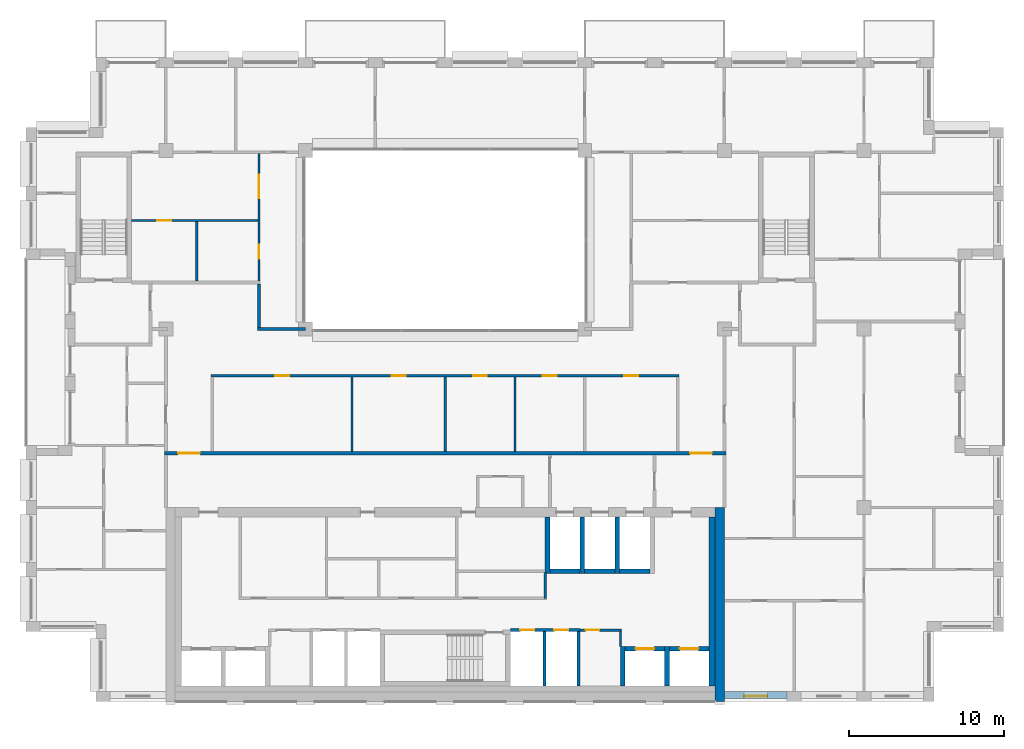
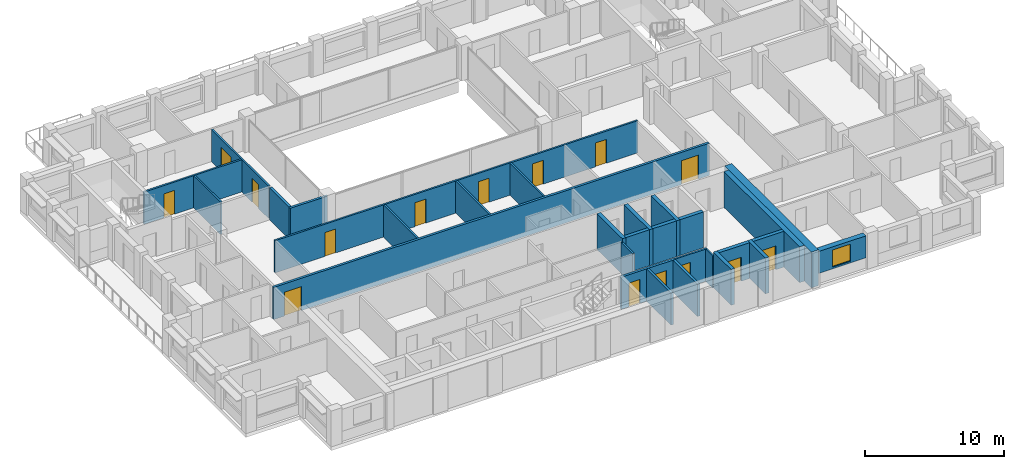
# One storey, part 10 of 15: 29 walls, 15 doors, 1 window, 16 openings.
"""IFC4 building model written with IfcOpenShell, lengths in metres."""

from ifc_helpers import new_model, si_unit, direction, frame, frame_2d, origin, place, context, subcontext, project, spatial, rectangle, extrude, material, layer, layer_set, type_object, element, fill, save


model = new_model("IFC4")

# Units and contexts
model_context = context("Model", 3, precision=1e-05, world=origin(), true_north=direction((0.0, 1.0)))
body_context = subcontext(model_context, "Body", "Model", "MODEL_VIEW")
ifc_project = project(units=[si_unit("LENGTHUNIT", "METRE"), si_unit("AREAUNIT", "SQUARE_METRE"), si_unit("VOLUMEUNIT", "CUBIC_METRE"), si_unit("PLANEANGLEUNIT", "RADIAN"), si_unit("MASSUNIT", "GRAM", prefix="KILO")], contexts=[model_context])

# Site, building, storey
site_placement = place(None, origin())
site = spatial("IfcSite", under=ifc_project, at=site_placement, CompositionType="ELEMENT")
building_placement = place(site_placement, origin())
building = spatial("IfcBuilding", under=site, at=building_placement, Name="Brigalow Station Residences", CompositionType="ELEMENT")
storey_placement = place(building_placement, frame((0.0, 0.0, 223.199951171875)))
storey = spatial("IfcBuildingStorey", under=building, at=storey_placement, Name="L64", CompositionType="ELEMENT", Elevation=223.199951171875)

# Wall, opening, window
ifc_material_1 = material(Name="Clay brick masonry", Category="masonry")
ifc_layer_1 = layer(ifc_material_1, 0.449951171875)
ifc_layer_set_1 = layer_set([ifc_layer_1], Name="BRICK INFILL WALL 450")
wall_type_1 = type_object("IfcWallType", Name="BRICK INFILL WALL 450", PredefinedType="SOLIDWALL", material=ifc_layer_set_1)
wall_1_placement = place(storey_placement, frame((54.0, 0.425048828125, 0.900146484375), z_axis=(0.0, 0.0, 1.0), x_axis=(1.0, 0.0, 0.0)))
wall_1 = element("IfcWall", 1, at=wall_1_placement, inside=storey, type_object=wall_type_1, Name="L64/ewall/W-L64-3", PredefinedType="SOLIDWALL", context=body_context, shape_type="SweptSolid", body=[
    extrude(rectangle(XDim=4.050048828125, YDim=0.449951171875, at=frame_2d((2.02490234375, 0.0))), origin(), (0.0, 0.0, 1.0), 1.929931640625),
])
opening_1_placement = place(wall_1_placement, frame((1.27490234375, 0.0, 0.14990234375)))
opening_1 = element("IfcOpeningElement", 2, at=opening_1_placement, cuts=wall_1, Name="Opening WT-1", PredefinedType="OPENING", context=body_context, shape_type="SweptSolid", body=[
    extrude(rectangle(XDim=1.5, YDim=1.5, at=frame_2d((0.75, 0.75))), frame((0.0, 0.23486328125, 0.0), z_axis=(0.0, -1.0, 0.0), x_axis=(1.0, 0.0, 0.0)), (0.0, 0.0, 1.0), 0.469970703125),
])
ifc_material_2 = material(Name="Anodised aluminium frame with double glazing", Category="aluminium")
window_type = type_object("IfcWindowType", Name="WINDOW 1500x1500", PartitioningType="SINGLE_PANEL", PredefinedType="WINDOW", material=ifc_material_2)
window_placement = place(opening_1_placement, origin())
window = element("IfcWindow", 3, at=window_placement, inside=storey, type_object=window_type, Name="L64/window/W-L64-3", OverallHeight=1.5, OverallWidth=1.5, PartitioningType="SINGLE_PANEL", PredefinedType="WINDOW", context=body_context, shape_type="SweptSolid", body=[
    extrude(rectangle(XDim=1.5, YDim=1.5, at=frame_2d((0.75, 0.75))), frame((0.0, -0.06494140625, 0.0), z_axis=(0.0, -1.0, 0.0), x_axis=(1.0, 0.0, 0.0)), (0.0, 0.0, 1.0), 0.06005859375),
])
fill(opening_1, window)

# Walls
ifc_material_3 = material(Name="Concrete C50", Category="concrete")
ifc_layer_2 = layer(ifc_material_3, 0.300048828125)
ifc_layer_set_2 = layer_set([ifc_layer_2], Name="CORE SHEAR WALL 300 C50")
wall_type_2 = type_object("IfcWallType", Name="CORE SHEAR WALL 300 C50", PredefinedType="SHEAR", material=ifc_layer_set_2)
wall_2_placement = place(storey_placement, frame((42.75, 8.39990234375, 0.0), z_axis=(0.0, 0.0, 1.0), x_axis=(1.0, 0.0, 0.0)))
element("IfcWall", 4, at=wall_2_placement, inside=storey, type_object=wall_type_2, Name="CORE WALL SH-FF1-S L64", PredefinedType="SHEAR", context=body_context, shape_type="SweptSolid", body=[
    extrude(rectangle(XDim=1.949951171875, YDim=0.300048828125, at=frame_2d((0.97509765625, 0.0))), origin(), (0.0, 0.0, 1.0), 3.150146484375),
])
wall_3_placement = place(storey_placement, frame((42.60009765625, 8.25, 0.0), z_axis=(0.0, 0.0, 1.0), x_axis=(0.0, 1.0, 0.0)))
element("IfcWall", 5, at=wall_3_placement, inside=storey, type_object=wall_type_2, Name="CORE WALL SH-FF1-W L64", PredefinedType="SHEAR", context=body_context, shape_type="SweptSolid", body=[
    extrude(rectangle(XDim=3.64990234375, YDim=0.300048828125, at=frame_2d((1.824951171875, 0.0))), origin(), (0.0, 0.0, 1.0), 3.150146484375),
])
wall_4_placement = place(storey_placement, frame((45.0, 8.39990234375, 0.0), z_axis=(0.0, 0.0, 1.0), x_axis=(1.0, 0.0, 0.0)))
element("IfcWall", 6, at=wall_4_placement, inside=storey, type_object=wall_type_2, Name="CORE WALL SH-FF2-S L64", PredefinedType="SHEAR", context=body_context, shape_type="SweptSolid", body=[
    extrude(rectangle(XDim=1.949951171875, YDim=0.300048828125, at=frame_2d((0.97509765625, 0.0))), origin(), (0.0, 0.0, 1.0), 3.150146484375),
])
wall_5_placement = place(storey_placement, frame((44.85009765625, 8.25, 0.0), z_axis=(0.0, 0.0, 1.0), x_axis=(0.0, 1.0, 0.0)))
element("IfcWall", 7, at=wall_5_placement, inside=storey, type_object=wall_type_2, Name="CORE WALL SH-FF2-W L64", PredefinedType="SHEAR", context=body_context, shape_type="SweptSolid", body=[
    extrude(rectangle(XDim=3.64990234375, YDim=0.300048828125, at=frame_2d((1.824951171875, 0.0))), origin(), (0.0, 0.0, 1.0), 3.150146484375),
])
wall_6_placement = place(storey_placement, frame((47.25, 8.39990234375, 0.0), z_axis=(0.0, 0.0, 1.0), x_axis=(1.0, 0.0, 0.0)))
element("IfcWall", 8, at=wall_6_placement, inside=storey, type_object=wall_type_2, Name="CORE WALL SH-SL1-S L64", PredefinedType="SHEAR", context=body_context, shape_type="SweptSolid", body=[
    extrude(rectangle(XDim=1.949951171875, YDim=0.300048828125, at=frame_2d((0.97509765625, 0.0))), origin(), (0.0, 0.0, 1.0), 3.150146484375),
])
wall_7_placement = place(storey_placement, frame((47.10009765625, 8.25, 0.0), z_axis=(0.0, 0.0, 1.0), x_axis=(0.0, 1.0, 0.0)))
element("IfcWall", 9, at=wall_7_placement, inside=storey, type_object=wall_type_2, Name="CORE WALL SH-SL1-W L64", PredefinedType="SHEAR", context=body_context, shape_type="SweptSolid", body=[
    extrude(rectangle(XDim=3.64990234375, YDim=0.300048828125, at=frame_2d((1.824951171875, 0.0))), origin(), (0.0, 0.0, 1.0), 3.150146484375),
])

# Wall, opening, door
wall_8_placement = place(storey_placement, frame((47.60009765625, 3.39990234375, 0.0), z_axis=(0.0, 0.0, 1.0), x_axis=(1.0, 0.0, 0.0)))
wall_8 = element("IfcWall", 10, at=wall_8_placement, inside=storey, type_object=wall_type_2, Name="CORE WALL SH-C3-N L64", PredefinedType="SHEAR", context=body_context, shape_type="SweptSolid", body=[
    extrude(rectangle(XDim=2.5498046875, YDim=0.300048828125, at=frame_2d((1.27490234375, 0.0))), origin(), (0.0, 0.0, 1.0), 3.150146484375),
])
opening_2_placement = place(wall_8_placement, frame((0.675048828125, 0.0, 0.0)))
opening_2 = element("IfcOpeningElement", 11, at=opening_2_placement, cuts=wall_8, Name="Opening LD-LB3", PredefinedType="OPENING", context=body_context, shape_type="SweptSolid", body=[
    extrude(rectangle(XDim=1.199951171875, YDim=2.10009765625, at=frame_2d((0.60009765625, 1.050048828125))), frame((0.0, 0.16015625, 0.0), z_axis=(0.0, -1.0, 0.0), x_axis=(1.0, 0.0, 0.0)), (0.0, 0.0, 1.0), 0.320068359375),
])
ifc_material_4 = material(Name="Stainless steel sliding door leaves", Category="steel")
door_type_1 = type_object("IfcDoorType", Name="LIFT LANDING DOOR 1200 x 2100", OperationType="DOUBLE_DOOR_SLIDING", PredefinedType="DOOR", material=ifc_material_4)
door_1_placement = place(opening_2_placement, origin())
door_1 = element("IfcDoor", 12, at=door_1_placement, inside=storey, type_object=door_type_1, Name="LANDING DOOR LB3", OperationType="DOUBLE_DOOR_SLIDING", OverallHeight=2.10009765625, OverallWidth=1.199951171875, PredefinedType="DOOR", context=body_context, shape_type="SweptSolid", body=[
    extrude(rectangle(XDim=1.199951171875, YDim=2.10009765625, at=frame_2d((0.60009765625, 1.050048828125))), frame((0.0, 0.02490234375, 0.0), z_axis=(0.0, -1.0, 0.0), x_axis=(1.0, 0.0, 0.0)), (0.0, 0.0, 1.0), 0.050048828125),
])
fill(opening_2, door_1)

# Wall
wall_9_placement = place(storey_placement, frame((47.449951171875, 1.0, 0.0), z_axis=(0.0, 0.0, 1.0), x_axis=(0.0, 1.0, 0.0)))
element("IfcWall", 13, at=wall_9_placement, inside=storey, type_object=wall_type_2, Name="CORE WALL SH-C3-W L64", PredefinedType="SHEAR", context=body_context, shape_type="SweptSolid", body=[
    extrude(rectangle(XDim=2.550048828125, YDim=0.300048828125, at=frame_2d((1.27490234375, 0.0))), origin(), (0.0, 0.0, 1.0), 3.150146484375),
])

# Wall, opening, door
wall_10_placement = place(storey_placement, frame((50.449951171875, 3.39990234375, 0.0), z_axis=(0.0, 0.0, 1.0), x_axis=(1.0, 0.0, 0.0)))
wall_10 = element("IfcWall", 14, at=wall_10_placement, inside=storey, type_object=wall_type_2, Name="CORE WALL SH-C4-N L64", PredefinedType="SHEAR", context=body_context, shape_type="SweptSolid", body=[
    extrude(rectangle(XDim=2.550048828125, YDim=0.300048828125, at=frame_2d((1.27490234375, 0.0))), origin(), (0.0, 0.0, 1.0), 3.150146484375),
])
opening_3_placement = place(wall_10_placement, frame((0.675048828125, 0.0, 0.0)))
opening_3 = element("IfcOpeningElement", 15, at=opening_3_placement, cuts=wall_10, Name="Opening LD-LB4", PredefinedType="OPENING", context=body_context, shape_type="SweptSolid", body=[
    extrude(rectangle(XDim=1.199951171875, YDim=2.10009765625, at=frame_2d((0.60009765625, 1.050048828125))), frame((0.0, 0.16015625, 0.0), z_axis=(0.0, -1.0, 0.0), x_axis=(1.0, 0.0, 0.0)), (0.0, 0.0, 1.0), 0.320068359375),
])
door_2_placement = place(opening_3_placement, origin())
door_2 = element("IfcDoor", 16, at=door_2_placement, inside=storey, type_object=door_type_1, Name="LANDING DOOR LB4", OperationType="DOUBLE_DOOR_SLIDING", OverallHeight=2.10009765625, OverallWidth=1.199951171875, PredefinedType="DOOR", context=body_context, shape_type="SweptSolid", body=[
    extrude(rectangle(XDim=1.199951171875, YDim=2.10009765625, at=frame_2d((0.60009765625, 1.050048828125))), frame((0.0, 0.02490234375, 0.0), z_axis=(0.0, -1.0, 0.0), x_axis=(1.0, 0.0, 0.0)), (0.0, 0.0, 1.0), 0.050048828125),
])
fill(opening_3, door_2)

# Walls
wall_11_placement = place(storey_placement, frame((50.300048828125, 1.0, 0.0), z_axis=(0.0, 0.0, 1.0), x_axis=(0.0, 1.0, 0.0)))
element("IfcWall", 17, at=wall_11_placement, inside=storey, type_object=wall_type_2, Name="CORE WALL SH-C4-W L64", PredefinedType="SHEAR", context=body_context, shape_type="SweptSolid", body=[
    extrude(rectangle(XDim=2.550048828125, YDim=0.300048828125, at=frame_2d((1.27490234375, 0.0))), origin(), (0.0, 0.0, 1.0), 3.150146484375),
])
ifc_material_5 = material(Name="Concrete C50", Category="concrete")
ifc_layer_3 = layer(ifc_material_5, 0.39990234375)
ifc_layer_set_3 = layer_set([ifc_layer_3], Name="CORE SHEAR WALL 400 C50")
wall_type_3 = type_object("IfcWallType", Name="CORE SHEAR WALL 400 C50", PredefinedType="SHEAR", material=ifc_layer_set_3)
wall_12_placement = place(storey_placement, frame((53.199951171875, 1.0, 0.0), z_axis=(0.0, 0.0, 1.0), x_axis=(0.0, 1.0, 0.0)))
element("IfcWall", 18, at=wall_12_placement, inside=storey, type_object=wall_type_3, Name="CORE WALL LIN-E L64", PredefinedType="SHEAR", context=body_context, shape_type="SweptSolid", body=[
    extrude(rectangle(XDim=10.89990234375, YDim=0.39990234375, at=frame_2d((5.449951171875, 0.0))), origin(), (0.0, 0.0, 1.0), 3.150146484375),
])
ifc_material_6 = material(Name="Concrete C50", Category="concrete")
ifc_layer_4 = layer(ifc_material_6, 0.60009765625)
ifc_layer_set_4 = layer_set([ifc_layer_4], Name="CORE SHEAR WALL 600 C50")
wall_type_4 = type_object("IfcWallType", Name="CORE SHEAR WALL 600 C50", PredefinedType="SHEAR", material=ifc_layer_set_4)
wall_13_placement = place(storey_placement, frame((53.699951171875, 0.0, 0.0), z_axis=(0.0, 0.0, 1.0), x_axis=(0.0, 1.0, 0.0)))
element("IfcWall", 19, at=wall_13_placement, inside=storey, type_object=wall_type_4, Name="CORE WALL OUT-E L64", PredefinedType="SHEAR", context=body_context, shape_type="SweptSolid", body=[
    extrude(rectangle(XDim=12.5, YDim=0.60009765625, at=frame_2d((6.25, 0.0))), origin(), (0.0, 0.0, 1.0), 3.150146484375),
])

# Wall, openings, doors
ifc_material_7 = material(Name="Concrete blockwork", Category="masonry")
ifc_layer_5 = layer(ifc_material_7, 0.199951171875)
ifc_layer_set_5 = layer_set([ifc_layer_5], Name="FIRE RATED CORE PARTITION 200")
wall_type_5 = type_object("IfcWallType", Name="FIRE RATED CORE PARTITION 200", PredefinedType="PARTITIONING", material=ifc_layer_set_5)
wall_14_placement = place(storey_placement, frame((40.199951171875, 4.60009765625, 0.0), z_axis=(0.0, 0.0, 1.0), x_axis=(1.0, 0.0, 0.0)))
wall_14 = element("IfcWall", 20, at=wall_14_placement, inside=storey, type_object=wall_type_5, Name="PW-5018", PredefinedType="PARTITIONING", context=body_context, shape_type="SweptSolid", body=[
    extrude(rectangle(XDim=4.5, YDim=0.199951171875, at=frame_2d((2.25, 0.0))), origin(), (0.0, 0.0, 1.0), 2.830078125),
])
opening_4_placement = place(wall_14_placement, frame((0.64990234375, 0.0, 0.0)))
opening_4 = element("IfcOpeningElement", 21, at=opening_4_placement, cuts=wall_14, Name="Opening D-5009", PredefinedType="OPENING", context=body_context, shape_type="SweptSolid", body=[
    extrude(rectangle(XDim=0.89990234375, YDim=2.10009765625, at=frame_2d((0.449951171875, 1.050048828125))), frame((0.0, 0.10986328125, 0.0), z_axis=(0.0, -1.0, 0.0), x_axis=(1.0, 0.0, 0.0)), (0.0, 0.0, 1.0), 0.219970703125),
])
opening_5_placement = place(wall_14_placement, frame((2.85009765625, 0.0, 0.0)))
opening_5 = element("IfcOpeningElement", 22, at=opening_5_placement, cuts=wall_14, Name="Opening D-5010", PredefinedType="OPENING", context=body_context, shape_type="SweptSolid", body=[
    extrude(rectangle(XDim=0.89990234375, YDim=2.10009765625, at=frame_2d((0.449951171875, 1.050048828125))), frame((0.0, 0.10986328125, 0.0), z_axis=(0.0, -1.0, 0.0), x_axis=(1.0, 0.0, 0.0)), (0.0, 0.0, 1.0), 0.219970703125),
])
ifc_material_8 = material(Name="Steel fire door leaf in steel frame", Category="steel")
door_type_2 = type_object("IfcDoorType", Name="RISER ACCESS DOOR 900 x 2100 FD120", OperationType="SINGLE_SWING_LEFT", PredefinedType="DOOR", material=ifc_material_8)
door_3_placement = place(opening_4_placement, frame((0.89990234375, 0.0, 0.0), z_axis=(0.0, 0.0, 1.0), x_axis=(-1.0, 0.0, 0.0)))
door_3 = element("IfcDoor", 23, at=door_3_placement, inside=storey, type_object=door_type_2, Name="D-5009", OperationType="SINGLE_SWING_LEFT", OverallHeight=2.10009765625, OverallWidth=0.89990234375, PredefinedType="DOOR", context=body_context, shape_type="SweptSolid", body=[
    extrude(rectangle(XDim=0.89990234375, YDim=2.10009765625, at=frame_2d((0.449951171875, 1.050048828125))), frame((0.0, 0.02490234375, 0.0), z_axis=(0.0, -1.0, 0.0), x_axis=(1.0, 0.0, 0.0)), (0.0, 0.0, 1.0), 0.050048828125),
])
fill(opening_4, door_3)
door_4_placement = place(opening_5_placement, frame((0.89990234375, 0.0, 0.0), z_axis=(0.0, 0.0, 1.0), x_axis=(-1.0, 0.0, 0.0)))
door_4 = element("IfcDoor", 24, at=door_4_placement, inside=storey, type_object=door_type_2, Name="D-5010", OperationType="SINGLE_SWING_LEFT", OverallHeight=2.10009765625, OverallWidth=0.89990234375, PredefinedType="DOOR", context=body_context, shape_type="SweptSolid", body=[
    extrude(rectangle(XDim=0.89990234375, YDim=2.10009765625, at=frame_2d((0.449951171875, 1.050048828125))), frame((0.0, 0.02490234375, 0.0), z_axis=(0.0, -1.0, 0.0), x_axis=(1.0, 0.0, 0.0)), (0.0, 0.0, 1.0), 0.050048828125),
])
fill(opening_5, door_4)

# Walls
for number, where, z_axis, x_axis, name in (
    (25, (42.39990234375, 1.0, 0.0), (0.0, 0.0, 1.0), (0.0, 1.0, 0.0), "PW-5007"),
    (26, (44.60009765625, 1.0, 0.0), (0.0, 0.0, 1.0), (0.0, 1.0, 0.0), "PW-5008"),
):
    element("IfcWall", number, at=place(storey_placement, frame(where, z_axis=z_axis, x_axis=x_axis)), inside=storey, type_object=wall_type_5, Name=name, PredefinedType="PARTITIONING", context=body_context, shape_type="SweptSolid", body=[
        extrude(rectangle(XDim=3.5, YDim=0.199951171875, at=frame_2d((1.75, 0.0))), origin(), (0.0, 0.0, 1.0), 2.830078125),
    ])

# Wall, openings, doors
ifc_material_9 = material(Name="Plasterboard on steel stud partition", Category="steel")
ifc_layer_6 = layer(ifc_material_9, 0.14990234375)
ifc_layer_set_6 = layer_set([ifc_layer_6], Name="FLAT PARTITION 150")
wall_type_6 = type_object("IfcWallType", Name="FLAT PARTITION 150", PredefinedType="PARTITIONING", material=ifc_layer_set_6)
wall_15_placement = place(storey_placement, frame((20.925048828125, 21.0, 0.0), z_axis=(0.0, 0.0, 1.0), x_axis=(1.0, 0.0, 0.0)))
wall_15 = element("IfcWall", 27, at=wall_15_placement, inside=storey, type_object=wall_type_6, Name="PW-4D05", PredefinedType="PARTITIONING", context=body_context, shape_type="SweptSolid", body=[
    extrude(rectangle(XDim=30.14990234375, YDim=0.14990234375, at=frame_2d((15.074951171875, 0.0))), origin(), (0.0, 0.0, 1.0), 2.830078125),
])
opening_6_placement = place(wall_15_placement, frame((4.125, 0.0, 0.0)))
opening_6 = element("IfcOpeningElement", 28, at=opening_6_placement, cuts=wall_15, Name="Opening D-4D41", PredefinedType="OPENING", context=body_context, shape_type="SweptSolid", body=[
    extrude(rectangle(XDim=0.89990234375, YDim=2.10009765625, at=frame_2d((0.449951171875, 1.050048828125))), frame((0.0, 0.0849609375, 0.0), z_axis=(0.0, -1.0, 0.0), x_axis=(1.0, 0.0, 0.0)), (0.0, 0.0, 1.0), 0.169921875),
])
opening_7_placement = place(wall_15_placement, frame((11.625, 0.0, 0.0)))
opening_7 = element("IfcOpeningElement", 29, at=opening_7_placement, cuts=wall_15, Name="Opening D-4D42", PredefinedType="OPENING", context=body_context, shape_type="SweptSolid", body=[
    extrude(rectangle(XDim=0.89990234375, YDim=2.10009765625, at=frame_2d((0.449951171875, 1.050048828125))), frame((0.0, 0.0849609375, 0.0), z_axis=(0.0, -1.0, 0.0), x_axis=(1.0, 0.0, 0.0)), (0.0, 0.0, 1.0), 0.169921875),
])
opening_8_placement = place(wall_15_placement, frame((16.875, 0.0, 0.0)))
opening_8 = element("IfcOpeningElement", 30, at=opening_8_placement, cuts=wall_15, Name="Opening D-4D43", PredefinedType="OPENING", context=body_context, shape_type="SweptSolid", body=[
    extrude(rectangle(XDim=0.89990234375, YDim=2.10009765625, at=frame_2d((0.449951171875, 1.050048828125))), frame((0.0, 0.0849609375, 0.0), z_axis=(0.0, -1.0, 0.0), x_axis=(1.0, 0.0, 0.0)), (0.0, 0.0, 1.0), 0.169921875),
])
opening_9_placement = place(wall_15_placement, frame((21.375, 0.0, 0.0)))
opening_9 = element("IfcOpeningElement", 31, at=opening_9_placement, cuts=wall_15, Name="Opening D-4D44", PredefinedType="OPENING", context=body_context, shape_type="SweptSolid", body=[
    extrude(rectangle(XDim=0.89990234375, YDim=2.10009765625, at=frame_2d((0.449951171875, 1.050048828125))), frame((0.0, 0.0849609375, 0.0), z_axis=(0.0, -1.0, 0.0), x_axis=(1.0, 0.0, 0.0)), (0.0, 0.0, 1.0), 0.169921875),
])
opening_10_placement = place(wall_15_placement, frame((26.625, 0.0, 0.0)))
opening_10 = element("IfcOpeningElement", 32, at=opening_10_placement, cuts=wall_15, Name="Opening D-4D45", PredefinedType="OPENING", context=body_context, shape_type="SweptSolid", body=[
    extrude(rectangle(XDim=0.89990234375, YDim=2.10009765625, at=frame_2d((0.449951171875, 1.050048828125))), frame((0.0, 0.0849609375, 0.0), z_axis=(0.0, -1.0, 0.0), x_axis=(1.0, 0.0, 0.0)), (0.0, 0.0, 1.0), 0.169921875),
])
ifc_material_10 = material(Name="Solid-core timber door leaf", Category="wood")
door_type_3 = type_object("IfcDoorType", Name="INTERNAL DOOR 900 x 2100", OperationType="SINGLE_SWING_LEFT", PredefinedType="DOOR", material=ifc_material_10)
door_5_placement = place(opening_6_placement, frame((0.89990234375, 0.0, 0.0), z_axis=(0.0, 0.0, 1.0), x_axis=(-1.0, 0.0, 0.0)))
door_5 = element("IfcDoor", 33, at=door_5_placement, inside=storey, type_object=door_type_3, Name="D-4D41", OperationType="SINGLE_SWING_RIGHT", OverallHeight=2.10009765625, OverallWidth=0.89990234375, PredefinedType="DOOR", context=body_context, shape_type="SweptSolid", body=[
    extrude(rectangle(XDim=0.89990234375, YDim=2.10009765625, at=frame_2d((0.449951171875, 1.050048828125))), frame((0.0, 0.02490234375, 0.0), z_axis=(0.0, -1.0, 0.0), x_axis=(1.0, 0.0, 0.0)), (0.0, 0.0, 1.0), 0.050048828125),
])
fill(opening_6, door_5)
door_6_placement = place(opening_7_placement, frame((0.89990234375, 0.0, 0.0), z_axis=(0.0, 0.0, 1.0), x_axis=(-1.0, 0.0, 0.0)))
door_6 = element("IfcDoor", 34, at=door_6_placement, inside=storey, type_object=door_type_3, Name="D-4D42", OperationType="SINGLE_SWING_LEFT", OverallHeight=2.10009765625, OverallWidth=0.89990234375, PredefinedType="DOOR", context=body_context, shape_type="SweptSolid", body=[
    extrude(rectangle(XDim=0.89990234375, YDim=2.10009765625, at=frame_2d((0.449951171875, 1.050048828125))), frame((0.0, 0.02490234375, 0.0), z_axis=(0.0, -1.0, 0.0), x_axis=(1.0, 0.0, 0.0)), (0.0, 0.0, 1.0), 0.050048828125),
])
fill(opening_7, door_6)
door_7_placement = place(opening_8_placement, frame((0.89990234375, 0.0, 0.0), z_axis=(0.0, 0.0, 1.0), x_axis=(-1.0, 0.0, 0.0)))
door_7 = element("IfcDoor", 35, at=door_7_placement, inside=storey, type_object=door_type_3, Name="D-4D43", OperationType="SINGLE_SWING_LEFT", OverallHeight=2.10009765625, OverallWidth=0.89990234375, PredefinedType="DOOR", context=body_context, shape_type="SweptSolid", body=[
    extrude(rectangle(XDim=0.89990234375, YDim=2.10009765625, at=frame_2d((0.449951171875, 1.050048828125))), frame((0.0, 0.02490234375, 0.0), z_axis=(0.0, -1.0, 0.0), x_axis=(1.0, 0.0, 0.0)), (0.0, 0.0, 1.0), 0.050048828125),
])
fill(opening_8, door_7)
door_8_placement = place(opening_9_placement, frame((0.89990234375, 0.0, 0.0), z_axis=(0.0, 0.0, 1.0), x_axis=(-1.0, 0.0, 0.0)))
door_8 = element("IfcDoor", 36, at=door_8_placement, inside=storey, type_object=door_type_3, Name="D-4D44", OperationType="SINGLE_SWING_LEFT", OverallHeight=2.10009765625, OverallWidth=0.89990234375, PredefinedType="DOOR", context=body_context, shape_type="SweptSolid", body=[
    extrude(rectangle(XDim=0.89990234375, YDim=2.10009765625, at=frame_2d((0.449951171875, 1.050048828125))), frame((0.0, 0.02490234375, 0.0), z_axis=(0.0, -1.0, 0.0), x_axis=(1.0, 0.0, 0.0)), (0.0, 0.0, 1.0), 0.050048828125),
])
fill(opening_9, door_8)
door_9_placement = place(opening_10_placement, frame((0.89990234375, 0.0, 0.0), z_axis=(0.0, 0.0, 1.0), x_axis=(-1.0, 0.0, 0.0)))
door_9 = element("IfcDoor", 37, at=door_9_placement, inside=storey, type_object=door_type_3, Name="D-4D45", OperationType="SINGLE_SWING_RIGHT", OverallHeight=2.10009765625, OverallWidth=0.89990234375, PredefinedType="DOOR", context=body_context, shape_type="SweptSolid", body=[
    extrude(rectangle(XDim=0.89990234375, YDim=2.10009765625, at=frame_2d((0.449951171875, 1.050048828125))), frame((0.0, 0.02490234375, 0.0), z_axis=(0.0, -1.0, 0.0), x_axis=(1.0, 0.0, 0.0)), (0.0, 0.0, 1.0), 0.050048828125),
])
fill(opening_10, door_9)

# Wall, opening, door
wall_16_placement = place(storey_placement, frame((15.800048828125, 31.0, 0.0), z_axis=(0.0, 0.0, 1.0), x_axis=(1.0, 0.0, 0.0)))
wall_16 = element("IfcWall", 38, at=wall_16_placement, inside=storey, type_object=wall_type_6, Name="PW-4D15", PredefinedType="PARTITIONING", context=body_context, shape_type="SweptSolid", body=[
    extrude(rectangle(XDim=8.125, YDim=0.14990234375, at=frame_2d((4.0625, 0.0))), origin(), (0.0, 0.0, 1.0), 2.830078125),
])
opening_11_placement = place(wall_16_placement, frame((1.64990234375, 0.0, 0.0)))
opening_11 = element("IfcOpeningElement", 39, at=opening_11_placement, cuts=wall_16, Name="Opening D-4D21", PredefinedType="OPENING", context=body_context, shape_type="SweptSolid", body=[
    extrude(rectangle(XDim=0.89990234375, YDim=2.10009765625, at=frame_2d((0.449951171875, 1.050048828125))), frame((0.0, 0.0849609375, 0.0), z_axis=(0.0, -1.0, 0.0), x_axis=(1.0, 0.0, 0.0)), (0.0, 0.0, 1.0), 0.169921875),
])
door_10_placement = place(opening_11_placement, frame((0.89990234375, 0.0, 0.0), z_axis=(0.0, 0.0, 1.0), x_axis=(-1.0, 0.0, 0.0)))
door_10 = element("IfcDoor", 40, at=door_10_placement, inside=storey, type_object=door_type_3, Name="D-4D21", OperationType="SINGLE_SWING_LEFT", OverallHeight=2.10009765625, OverallWidth=0.89990234375, PredefinedType="DOOR", context=body_context, shape_type="SweptSolid", body=[
    extrude(rectangle(XDim=0.89990234375, YDim=2.10009765625, at=frame_2d((0.449951171875, 1.050048828125))), frame((0.0, 0.02490234375, 0.0), z_axis=(0.0, -1.0, 0.0), x_axis=(1.0, 0.0, 0.0)), (0.0, 0.0, 1.0), 0.050048828125),
])
fill(opening_11, door_10)

# Wall, openings, doors
wall_17_placement = place(storey_placement, frame((24.0, 27.10009765625, 0.0), z_axis=(0.0, 0.0, 1.0), x_axis=(0.0, 1.0, 0.0)))
wall_17 = element("IfcWall", 41, at=wall_17_placement, inside=storey, type_object=wall_type_6, Name="PW-4D34", PredefinedType="PARTITIONING", context=body_context, shape_type="SweptSolid", body=[
    extrude(rectangle(XDim=8.224853515625, YDim=0.14990234375, at=frame_2d((4.1123046875, 0.0))), origin(), (0.0, 0.0, 1.0), 2.830078125),
])
opening_12_placement = place(wall_17_placement, frame((5.35009765625, 0.0, 0.0)))
opening_12 = element("IfcOpeningElement", 42, at=opening_12_placement, cuts=wall_17, Name="Opening D-4D19", PredefinedType="OPENING", context=body_context, shape_type="SweptSolid", body=[
    extrude(rectangle(XDim=1.5, YDim=2.10009765625, at=frame_2d((0.75, 1.050048828125))), frame((0.0, 0.0849609375, 0.0), z_axis=(0.0, -1.0, 0.0), x_axis=(1.0, 0.0, 0.0)), (0.0, 0.0, 1.0), 0.169921875),
])
opening_13_placement = place(wall_17_placement, frame((1.449951171875, 0.0, 0.0)))
opening_13 = element("IfcOpeningElement", 43, at=opening_13_placement, cuts=wall_17, Name="Opening D-4D20", PredefinedType="OPENING", context=body_context, shape_type="SweptSolid", body=[
    extrude(rectangle(XDim=0.89990234375, YDim=2.10009765625, at=frame_2d((0.449951171875, 1.050048828125))), frame((0.0, 0.0849609375, 0.0), z_axis=(0.0, -1.0, 0.0), x_axis=(1.0, 0.0, 0.0)), (0.0, 0.0, 1.0), 0.169921875),
])
door_11_placement = place(opening_13_placement, origin())
door_11 = element("IfcDoor", 44, at=door_11_placement, inside=storey, type_object=door_type_3, Name="D-4D20", OperationType="SINGLE_SWING_LEFT", OverallHeight=2.10009765625, OverallWidth=0.89990234375, PredefinedType="DOOR", context=body_context, shape_type="SweptSolid", body=[
    extrude(rectangle(XDim=0.89990234375, YDim=2.10009765625, at=frame_2d((0.449951171875, 1.050048828125))), frame((0.0, 0.02490234375, 0.0), z_axis=(0.0, -1.0, 0.0), x_axis=(1.0, 0.0, 0.0)), (0.0, 0.0, 1.0), 0.050048828125),
])
fill(opening_13, door_11)
ifc_material_11 = material(Name="Solid-core timber door leaf", Category="wood")
door_type_4 = type_object("IfcDoorType", Name="INTERNAL DOUBLE DOOR 1500 x 2100", OperationType="DOUBLE_DOOR_SINGLE_SWING", PredefinedType="DOOR", material=ifc_material_11)
door_12_placement = place(opening_12_placement, frame((1.5, 0.0, 0.0), z_axis=(0.0, 0.0, 1.0), x_axis=(-1.0, 0.0, 0.0)))
door_12 = element("IfcDoor", 45, at=door_12_placement, inside=storey, type_object=door_type_4, Name="D-4D19", OperationType="DOUBLE_DOOR_SINGLE_SWING", OverallHeight=2.10009765625, OverallWidth=1.5, PredefinedType="DOOR", context=body_context, shape_type="SweptSolid", body=[
    extrude(rectangle(XDim=1.5, YDim=2.10009765625, at=frame_2d((0.75, 1.050048828125))), frame((0.0, 0.02490234375, 0.0), z_axis=(0.0, -1.0, 0.0), x_axis=(1.0, 0.0, 0.0)), (0.0, 0.0, 1.0), 0.050048828125),
])
fill(opening_12, door_12)

# Walls
wall_18_placement = place(storey_placement, frame((20.0, 27.10009765625, 0.0), z_axis=(0.0, 0.0, 1.0), x_axis=(0.0, 1.0, 0.0)))
element("IfcWall", 46, at=wall_18_placement, inside=storey, type_object=wall_type_6, Name="PW-4D44", PredefinedType="PARTITIONING", context=body_context, shape_type="SweptSolid", body=[
    extrude(rectangle(XDim=3.824951171875, YDim=0.14990234375, at=frame_2d((1.91259765625, 0.0))), origin(), (0.0, 0.0, 1.0), 2.830078125),
])
for number, where, z_axis, x_axis, name in (
    (47, (30.0, 16.10009765625, 0.0), (0.0, 0.0, 1.0), (0.0, 1.0, 0.0), "PW-4D52"),
    (48, (36.0, 16.10009765625, 0.0), (0.0, 0.0, 1.0), (0.0, 1.0, 0.0), "PW-4D53"),
    (49, (40.5, 16.10009765625, 0.0), (0.0, 0.0, 1.0), (0.0, 1.0, 0.0), "PW-4D54"),
):
    element("IfcWall", number, at=place(storey_placement, frame(where, z_axis=z_axis, x_axis=x_axis)), inside=storey, type_object=wall_type_6, Name=name, PredefinedType="PARTITIONING", context=body_context, shape_type="SweptSolid", body=[
        extrude(rectangle(XDim=4.824951171875, YDim=0.14990234375, at=frame_2d((2.41259765625, 0.0))), origin(), (0.0, 0.0, 1.0), 2.830078125),
    ])
ifc_material_12 = material(Name="Plasterboard on steel stud partition", Category="steel")
ifc_layer_7 = layer(ifc_material_12, 0.199951171875)
ifc_layer_set_7 = layer_set([ifc_layer_7], Name="PARTY AND CORRIDOR WALL 200")
wall_type_7 = type_object("IfcWallType", Name="PARTY AND CORRIDOR WALL 200", PredefinedType="PARTITIONING", material=ifc_layer_set_7)
wall_19_placement = place(storey_placement, frame((23.89990234375, 24.0, 0.0), z_axis=(0.0, 0.0, 1.0), x_axis=(1.0, 0.0, 0.0)))
element("IfcWall", 50, at=wall_19_placement, inside=storey, type_object=wall_type_7, Name="PW-4D02", PredefinedType="PARTITIONING", context=body_context, shape_type="SweptSolid", body=[
    extrude(rectangle(XDim=3.10009765625, YDim=0.199951171875, at=frame_2d((1.550048828125, 0.0))), origin(), (0.0, 0.0, 1.0), 2.830078125),
])

# Wall, openings, doors
wall_20_placement = place(storey_placement, frame((17.89990234375, 16.0, 0.0), z_axis=(0.0, 0.0, 1.0), x_axis=(1.0, 0.0, 0.0)))
wall_20 = element("IfcWall", 51, at=wall_20_placement, inside=storey, type_object=wall_type_7, Name="PW-4D27", PredefinedType="PARTITIONING", context=body_context, shape_type="SweptSolid", body=[
    extrude(rectangle(XDim=36.2001953125, YDim=0.199951171875, at=frame_2d((18.10009765625, 0.0))), origin(), (0.0, 0.0, 1.0), 2.830078125),
])
opening_14_placement = place(wall_20_placement, frame((0.89990234375, 0.0, 0.0)))
opening_14 = element("IfcOpeningElement", 52, at=opening_14_placement, cuts=wall_20, Name="Opening D-4D01", PredefinedType="OPENING", context=body_context, shape_type="SweptSolid", body=[
    extrude(rectangle(XDim=1.39990234375, YDim=2.10009765625, at=frame_2d((0.699951171875, 1.050048828125))), frame((0.0, 0.10986328125, 0.0), z_axis=(0.0, -1.0, 0.0), x_axis=(1.0, 0.0, 0.0)), (0.0, 0.0, 1.0), 0.219970703125),
])
opening_15_placement = place(wall_20_placement, frame((33.89990234375, 0.0, 0.0)))
opening_15 = element("IfcOpeningElement", 53, at=opening_15_placement, cuts=wall_20, Name="Opening D-4D02", PredefinedType="OPENING", context=body_context, shape_type="SweptSolid", body=[
    extrude(rectangle(XDim=1.39990234375, YDim=2.10009765625, at=frame_2d((0.699951171875, 1.050048828125))), frame((0.0, 0.10986328125, 0.0), z_axis=(0.0, -1.0, 0.0), x_axis=(1.0, 0.0, 0.0)), (0.0, 0.0, 1.0), 0.219970703125),
])
ifc_material_13 = material(Name="Solid-core timber door leaf", Category="wood")
door_type_5 = type_object("IfcDoorType", Name="CORRIDOR FIRE DOOR 1400 x 2100 FRL -/60/30", OperationType="DOUBLE_DOOR_SINGLE_SWING", PredefinedType="DOOR", material=ifc_material_13)
door_13_placement = place(opening_14_placement, frame((1.39990234375, 0.0, 0.0), z_axis=(0.0, 0.0, 1.0), x_axis=(-1.0, 0.0, 0.0)))
door_13 = element("IfcDoor", 54, at=door_13_placement, inside=storey, type_object=door_type_5, Name="D-4D01", OperationType="DOUBLE_DOOR_SINGLE_SWING", OverallHeight=2.10009765625, OverallWidth=1.39990234375, PredefinedType="DOOR", context=body_context, shape_type="SweptSolid", body=[
    extrude(rectangle(XDim=1.39990234375, YDim=2.10009765625, at=frame_2d((0.699951171875, 1.050048828125))), frame((0.0, 0.02490234375, 0.0), z_axis=(0.0, -1.0, 0.0), x_axis=(1.0, 0.0, 0.0)), (0.0, 0.0, 1.0), 0.050048828125),
])
fill(opening_14, door_13)
door_14_placement = place(opening_15_placement, frame((1.39990234375, 0.0, 0.0), z_axis=(0.0, 0.0, 1.0), x_axis=(-1.0, 0.0, 0.0)))
door_14 = element("IfcDoor", 55, at=door_14_placement, inside=storey, type_object=door_type_5, Name="D-4D02", OperationType="DOUBLE_DOOR_SINGLE_SWING", OverallHeight=2.10009765625, OverallWidth=1.39990234375, PredefinedType="DOOR", context=body_context, shape_type="SweptSolid", body=[
    extrude(rectangle(XDim=1.39990234375, YDim=2.10009765625, at=frame_2d((0.699951171875, 1.050048828125))), frame((0.0, 0.02490234375, 0.0), z_axis=(0.0, -1.0, 0.0), x_axis=(1.0, 0.0, 0.0)), (0.0, 0.0, 1.0), 0.050048828125),
])
fill(opening_15, door_14)

# Wall
wall_21_placement = place(storey_placement, frame((24.0, 24.10009765625, 0.0), z_axis=(0.0, 0.0, 1.0), x_axis=(0.0, 1.0, 0.0)))
element("IfcWall", 56, at=wall_21_placement, inside=storey, type_object=wall_type_7, Name="PW-4D35", PredefinedType="PARTITIONING", context=body_context, shape_type="SweptSolid", body=[
    extrude(rectangle(XDim=2.7998046875, YDim=0.199951171875, at=frame_2d((1.39990234375, 0.0))), origin(), (0.0, 0.0, 1.0), 2.830078125),
])

# Wall, opening, door
ifc_material_14 = material(Name="Plasterboard on steel studs", Category="steel")
ifc_layer_8 = layer(ifc_material_14, 0.14990234375)
ifc_layer_set_8 = layer_set([ifc_layer_8], Name="SERVICE ROOM PARTITION 150")
wall_type_8 = type_object("IfcWallType", Name="SERVICE ROOM PARTITION 150", PredefinedType="PARTITIONING", material=ifc_layer_set_8)
wall_22_placement = place(storey_placement, frame((44.699951171875, 4.60009765625, 0.0), z_axis=(0.0, 0.0, 1.0), x_axis=(1.0, 0.0, 0.0)))
wall_22 = element("IfcWall", 57, at=wall_22_placement, inside=storey, type_object=wall_type_8, Name="PW-5156", PredefinedType="PARTITIONING", context=body_context, shape_type="SweptSolid", body=[
    extrude(rectangle(XDim=2.675048828125, YDim=0.14990234375, at=frame_2d((1.33740234375, 0.0))), origin(), (0.0, 0.0, 1.0), 2.830078125),
])
opening_16_placement = place(wall_22_placement, frame((0.35009765625, 0.0, 0.0)))
opening_16 = element("IfcOpeningElement", 58, at=opening_16_placement, cuts=wall_22, Name="Opening D-5026", PredefinedType="OPENING", context=body_context, shape_type="SweptSolid", body=[
    extrude(rectangle(XDim=0.89990234375, YDim=2.10009765625, at=frame_2d((0.449951171875, 1.050048828125))), frame((0.0, 0.0849609375, 0.0), z_axis=(0.0, -1.0, 0.0), x_axis=(1.0, 0.0, 0.0)), (0.0, 0.0, 1.0), 0.169921875),
])
ifc_material_15 = material(Name="Steel door leaf in steel frame", Category="steel")
door_type_6 = type_object("IfcDoorType", Name="SERVICE ROOM DOOR 900 x 2100 FD60", OperationType="SINGLE_SWING_LEFT", PredefinedType="DOOR", material=ifc_material_15)
door_15_placement = place(opening_16_placement, frame((0.89990234375, 0.0, 0.0), z_axis=(0.0, 0.0, 1.0), x_axis=(-1.0, 0.0, 0.0)))
door_15 = element("IfcDoor", 59, at=door_15_placement, inside=storey, type_object=door_type_6, Name="D-5026", OperationType="SINGLE_SWING_RIGHT", OverallHeight=2.10009765625, OverallWidth=0.89990234375, PredefinedType="DOOR", context=body_context, shape_type="SweptSolid", body=[
    extrude(rectangle(XDim=0.89990234375, YDim=2.10009765625, at=frame_2d((0.449951171875, 1.050048828125))), frame((0.0, 0.02490234375, 0.0), z_axis=(0.0, -1.0, 0.0), x_axis=(1.0, 0.0, 0.0)), (0.0, 0.0, 1.0), 0.050048828125),
])
fill(opening_16, door_15)

# Walls
wall_23_placement = place(storey_placement, frame((47.300048828125, 3.550048828125, 0.0), z_axis=(0.0, 0.0, 1.0), x_axis=(0.0, 1.0, 0.0)))
element("IfcWall", 60, at=wall_23_placement, inside=storey, type_object=wall_type_8, Name="PW-5158", PredefinedType="PARTITIONING", context=body_context, shape_type="SweptSolid", body=[
    extrude(rectangle(XDim=0.974853515625, YDim=0.14990234375, at=frame_2d((0.4873046875, 0.0))), origin(), (0.0, 0.0, 1.0), 2.830078125),
])
wall_24_placement = place(storey_placement, frame((42.449951171875, 6.64990234375, 0.0), z_axis=(0.0, 0.0, 1.0), x_axis=(0.0, 1.0, 0.0)))
element("IfcWall", 61, at=wall_24_placement, inside=storey, type_object=wall_type_8, Name="PW-5206", PredefinedType="PARTITIONING", context=body_context, shape_type="SweptSolid", body=[
    extrude(rectangle(XDim=1.675048828125, YDim=0.14990234375, at=frame_2d((0.83740234375, 0.0))), origin(), (0.0, 0.0, 1.0), 2.830078125),
])

save(model, "model.ifc")
